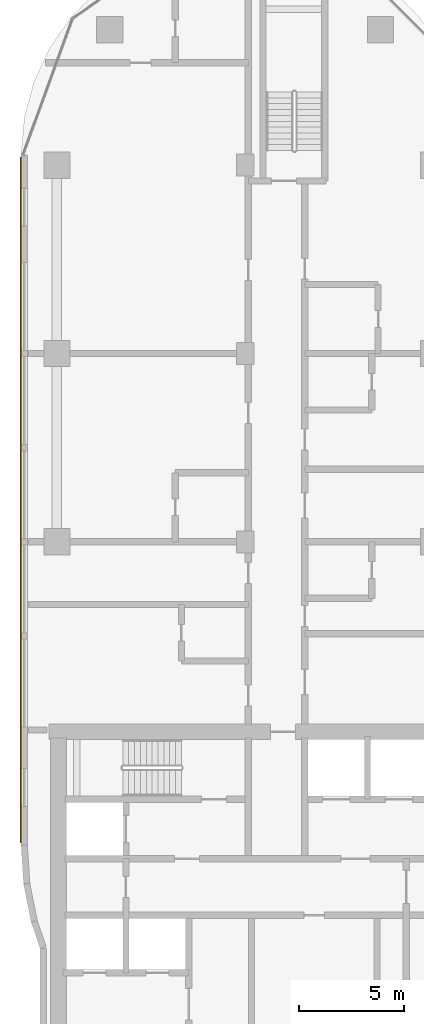
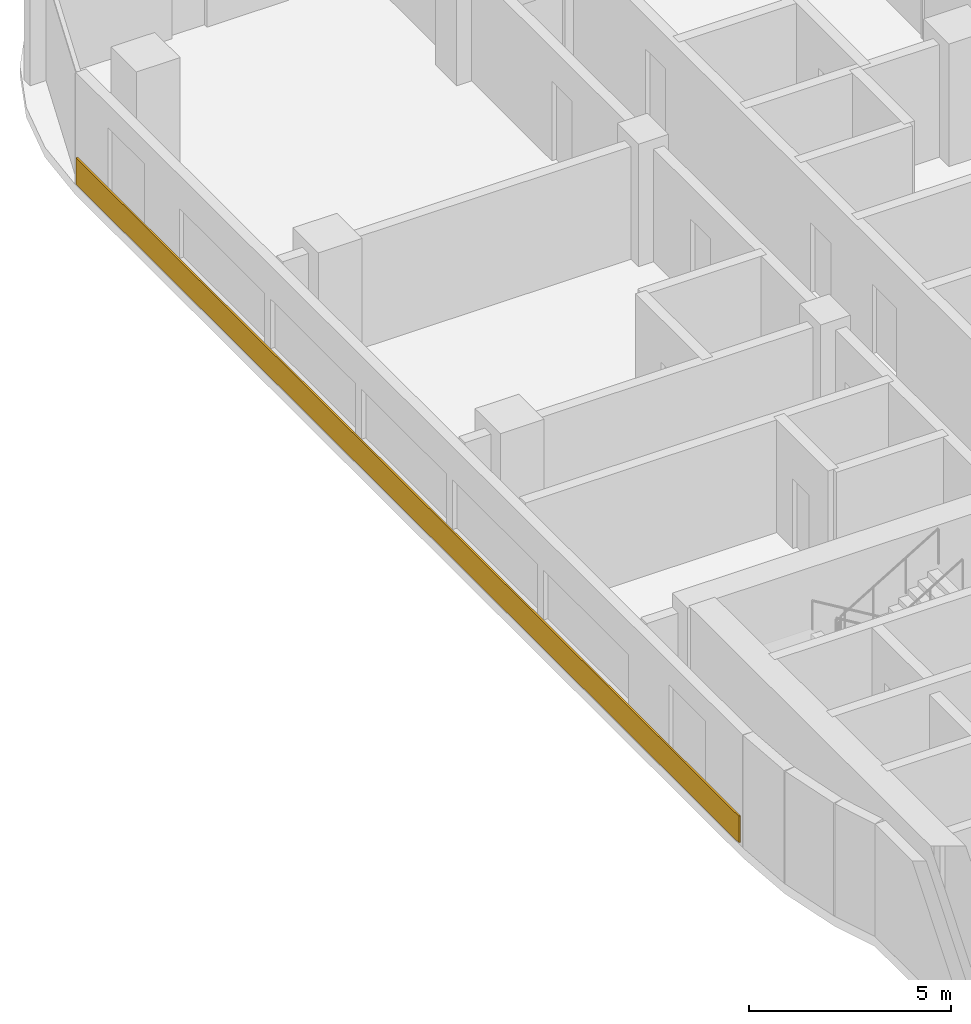
# One storey, part 18 of 23: 1 covering.
"""IFC4 building model written with IfcOpenShell, lengths in metres."""

from ifc_helpers import new_model, si_unit, direction, frame, origin, origin_2d, place, context, subcontext, project, spatial, rectangle, extrude, material, layer, layer_set, type_object, element, save


model = new_model("IFC4")

# Units and contexts
model_context = context("Model", 3, precision=1e-05, world=origin(), true_north=direction((0.0, 1.0)))
body_context = subcontext(model_context, "Body", "Model", "MODEL_VIEW")
ifc_project = project(units=[si_unit("LENGTHUNIT", "METRE"), si_unit("AREAUNIT", "SQUARE_METRE"), si_unit("VOLUMEUNIT", "CUBIC_METRE"), si_unit("PLANEANGLEUNIT", "RADIAN"), si_unit("MASSUNIT", "GRAM", prefix="KILO")], contexts=[model_context])

# Site, building, storey
site_placement = place(None, origin())
site = spatial("IfcSite", under=ifc_project, at=site_placement, CompositionType="ELEMENT")
building_placement = place(site_placement, origin())
building = spatial("IfcBuilding", under=site, at=building_placement, Name="Ogive Portal Towers", CompositionType="ELEMENT")
storey_placement = place(building_placement, frame((0.0, 0.0, 127.800048828125)))
storey = spatial("IfcBuildingStorey", under=building, at=storey_placement, Name="L31", CompositionType="ELEMENT", Elevation=127.800048828125)

# Covering
ifc_material = material(Name="Limestone cladding on lightweight block wall", Category="masonry")
ifc_layer = layer(ifc_material, 0.050048828125)
ifc_layer_set = layer_set([ifc_layer], Name="SCREEN PERFORATED STONE")
covering_type = type_object("IfcCoveringType", Name="SCREEN PERFORATED STONE", PredefinedType="CLADDING", material=ifc_layer_set)
covering_placement = place(storey_placement, frame((29.760009765625, 50.497802734375, 0.10009765625), z_axis=(0.0, 0.0, 1.0), x_axis=(0.0, -1.0, 0.0)))
element("IfcCovering", 1, at=covering_placement, inside=storey, type_object=covering_type, Name="Tracery screen", PredefinedType="CLADDING", context=body_context, shape_type="SweptSolid", body=[
    extrude(rectangle(XDim=32.776123046875, YDim=0.050048828125, at=origin_2d()), origin(), (0.0, 0.0, 1.0), 0.800048828125),
])

save(model, "model.ifc")
